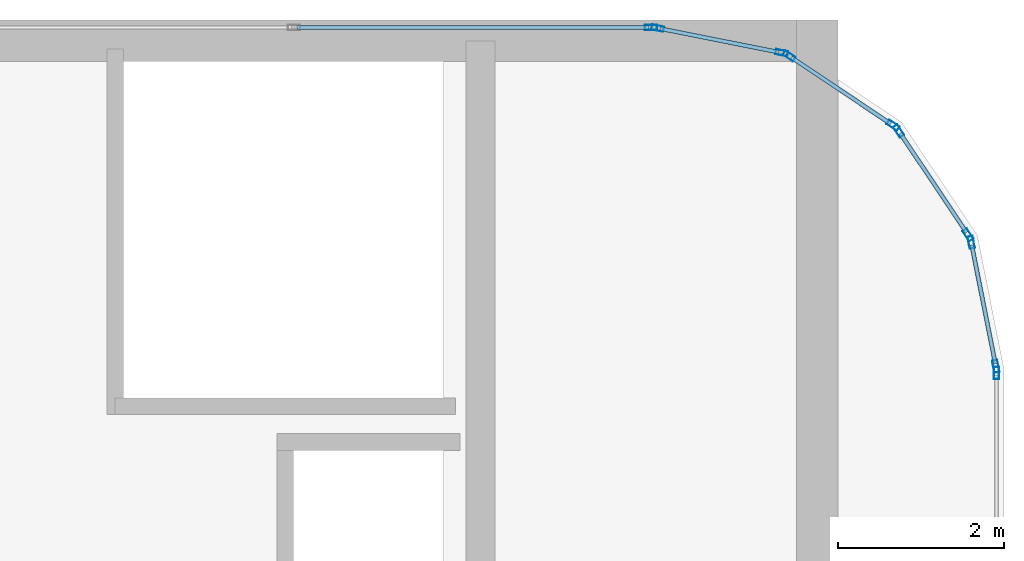
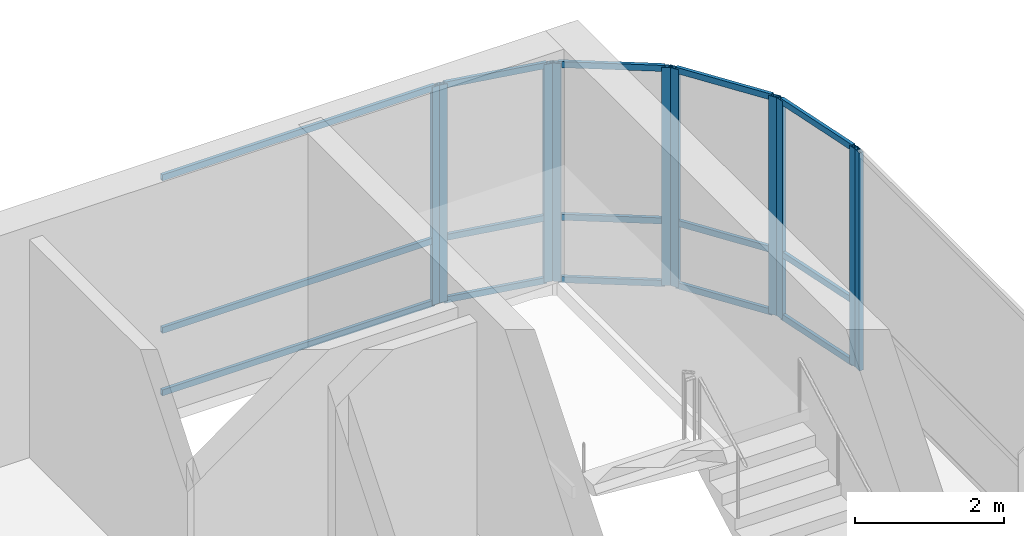
# One storey, part 28 of 36: 25 members, 6 elements without a shape of their own.
"""IFC4 building model written with IfcOpenShell, lengths in metres."""

import ifcopenshell
import ifcopenshell.guid

model = None  # the IFC model being written
_history = None  # IfcOwnerHistory: only IFC2X3 demands one
_inside = {}  # id of a spatial element -> (the spatial element, [elements in it])
_under = {}  # id of a project, library or spatial element -> (it, [spatial elements below it])
_declared = {}  # id of a project -> (the project, [libraries it declares])
_typed = {}  # id of a type object -> (the type object, [elements of that type])
_made_of = {}  # id of a material, layer set ... -> (it, [elements and type objects made of it])


def new_model(schema):
    """Start an empty IFC model of exactly this schema.

    Asked for "IFC4X3", IfcOpenShell would pick the latest addendum, in which some entities
    have other attributes; the version numbers below select the first issue.
    IFC2X3 requires an IfcOwnerHistory on every rooted entity: one is made here for all.
    """
    global model, _history
    if schema == "IFC4X3":
        model = ifcopenshell.file(schema_version=(4, 3, 0, 0))
    else:
        model = ifcopenshell.file(schema=schema)
    _inside.clear()
    _under.clear()
    _declared.clear()
    _typed.clear()
    _made_of.clear()
    _history = None
    if model.schema == "IFC2X3":
        org = make("IfcOrganization", Name="unknown")
        user = make(
            "IfcPersonAndOrganization",
            ThePerson=make("IfcPerson", FamilyName="unknown"),
            TheOrganization=org,
        )
        app = make(
            "IfcApplication",
            ApplicationDeveloper=org,
            Version="unknown",
            ApplicationFullName="unknown",
            ApplicationIdentifier="unknown",
        )
        _history = make(
            "IfcOwnerHistory",
            OwningUser=user,
            OwningApplication=app,
            ChangeAction="ADDED",
            CreationDate=0,
        )
    return model


def make(cls, **values):
    """One entity of the class cls with the attributes given. An attribute that is None is left unset."""
    return model.create_entity(
        cls, **{name: value for name, value in values.items() if value is not None}
    )


def rooted(cls, **values):
    """An entity with a GlobalId (a new one), such as an element, a storey or a relation."""
    return make(cls, GlobalId=ifcopenshell.guid.new(), OwnerHistory=_history, **values)


def si_unit(unit_type, name, prefix=None):
    """IfcSIUnit, for example si_unit("LENGTHUNIT", "METRE", prefix="MILLI")."""
    return make("IfcSIUnit", UnitType=unit_type, Prefix=prefix, Name=name)


def assignment(units):
    """IfcUnitAssignment: the units of a project."""
    return None if units is None else make("IfcUnitAssignment", Units=units)


def point(xyz):
    """IfcCartesianPoint."""
    return None if xyz is None else make("IfcCartesianPoint", Coordinates=xyz)


def direction(xyz):
    """IfcDirection."""
    return None if xyz is None else make("IfcDirection", DirectionRatios=xyz)


def frame(location, z_axis=None, x_axis=None):
    """IfcAxis2Placement3D, a coordinate frame: its origin and axes. An axis left out is left unset."""
    return make(
        "IfcAxis2Placement3D",
        Location=point(location),
        Axis=direction(z_axis),
        RefDirection=direction(x_axis),
    )


def frame_2d(location, x_axis=None):
    """IfcAxis2Placement2D, a coordinate frame in the plane: its origin and x axis."""
    return make(
        "IfcAxis2Placement2D", Location=point(location), RefDirection=direction(x_axis)
    )


def origin():
    """The frame at (0, 0, 0) with its axes left unset."""
    return frame((0.0, 0.0, 0.0))


def origin_2d():
    """The frame at (0, 0) in the plane with its x axis left unset."""
    return frame_2d((0.0, 0.0))


def place(relative_to, where):
    """IfcLocalPlacement: puts the frame where relative to a parent placement (None: the world)."""
    return make(
        "IfcLocalPlacement", PlacementRelTo=relative_to, RelativePlacement=where
    )


def context(
    kind, dimensions, precision=None, world=None, true_north=None, identifier=None
):
    """IfcGeometricRepresentationContext, for example the 3D "Model" context."""
    return make(
        "IfcGeometricRepresentationContext",
        ContextIdentifier=identifier,
        ContextType=kind,
        CoordinateSpaceDimension=dimensions,
        Precision=precision,
        WorldCoordinateSystem=world,
        TrueNorth=true_north,
    )


def subcontext(parent, identifier, kind, view, scale=None):
    """IfcGeometricRepresentationSubContext, for example "Body" below "Model"."""
    return make(
        "IfcGeometricRepresentationSubContext",
        ContextIdentifier=identifier,
        ContextType=kind,
        ParentContext=parent,
        TargetScale=scale,
        TargetView=view,
    )


def project(units=None, contexts=None):
    """IfcProject with its units and contexts."""
    return rooted(
        "IfcProject",
        Name="project",
        RepresentationContexts=contexts,
        UnitsInContext=assignment(units),
    )


def spatial(cls, under=None, at=None, **own):
    """A site, building, storey or space (cls), placed at a placement, below another one or the project."""
    s = rooted(cls, ObjectPlacement=at, **own)
    if under is not None:
        _under.setdefault(under.id(), (under, []))[1].append(s)
    return s


def profile(cls, at=None, kind="AREA", **sizes):
    """A parametric profile (cls). Its sizes go by their IFC names, for example OverallWidth=200.0."""
    return make(cls, ProfileType=kind, Position=at, **sizes)


def hollow_rectangle(**sizes):
    """IfcRectangleHollowProfileDef."""
    return profile("IfcRectangleHollowProfileDef", **sizes)


def extrude(swept, where, along, depth):
    """IfcExtrudedAreaSolid: the profile swept, set in the frame where, extruded along a direction by depth."""
    return make(
        "IfcExtrudedAreaSolid",
        SweptArea=swept,
        Position=where,
        ExtrudedDirection=direction(along),
        Depth=depth,
    )


def shape(context_of_items, identifier, shape_type, items):
    """IfcShapeRepresentation: the items that make up one representation, for example the "Body"."""
    return make(
        "IfcShapeRepresentation",
        ContextOfItems=context_of_items,
        RepresentationIdentifier=identifier,
        RepresentationType=shape_type,
        Items=items,
    )


def source(mapping_origin, context_of_items, identifier, shape_type, items):
    """IfcRepresentationMap: a shape defined once, which mapped items show again and again."""
    return make(
        "IfcRepresentationMap",
        MappingOrigin=mapping_origin,
        MappedRepresentation=shape(context_of_items, identifier, shape_type, items),
    )


def transform(
    local_origin,
    x_axis=None,
    y_axis=None,
    z_axis=None,
    scale=None,
    scale2=None,
    scale3=None,
    uniform=True,
):
    """IfcCartesianTransformationOperator3D, or its non-uniform kind. x_axis, y_axis, z_axis: its Axis1, 2, 3."""
    if uniform:
        return make(
            "IfcCartesianTransformationOperator3D",
            Axis1=direction(x_axis),
            Axis2=direction(y_axis),
            LocalOrigin=point(local_origin),
            Scale=scale,
            Axis3=direction(z_axis),
        )
    return make(
        "IfcCartesianTransformationOperator3DnonUniform",
        Axis1=direction(x_axis),
        Axis2=direction(y_axis),
        LocalOrigin=point(local_origin),
        Scale=scale,
        Axis3=direction(z_axis),
        Scale2=scale2,
        Scale3=scale3,
    )


def mapped(mapping_source, mapping_target):
    """IfcMappedItem: shows the shape of a source again, moved by a transform."""
    return make(
        "IfcMappedItem", MappingSource=mapping_source, MappingTarget=mapping_target
    )


def material(Name=None, Category=None):
    """IfcMaterial."""
    return make("IfcMaterial", Name=Name, Category=Category)


def layer(
    of_material, thickness, ventilated=None, Name=None, Category=None, Priority=None
):
    """IfcMaterialLayer: one layer of a wall or slab, of a material (None: an air gap)."""
    return make(
        "IfcMaterialLayer",
        Material=of_material,
        LayerThickness=thickness,
        IsVentilated=ventilated,
        Name=Name,
        Category=Category,
        Priority=Priority,
    )


def layer_set(layers, Name=None):
    """IfcMaterialLayerSet."""
    return make("IfcMaterialLayerSet", MaterialLayers=layers, LayerSetName=Name)


def material_profile(
    of_material, cross_section, Name=None, Category=None, Priority=None
):
    """IfcMaterialProfile: a cross section and its material."""
    return make(
        "IfcMaterialProfile",
        Name=Name,
        Material=of_material,
        Profile=cross_section,
        Priority=Priority,
        Category=Category,
    )


def profile_set(profiles, Name=None, composite=None):
    """IfcMaterialProfileSet."""
    return make(
        "IfcMaterialProfileSet",
        Name=Name,
        MaterialProfiles=profiles,
        CompositeProfile=composite,
    )


def made_of(thing, what):
    """Note that an element or type object is made of a material, layer set ...; save() writes the relation."""
    if what is not None:
        _made_of.setdefault(what.id(), (what, []))[1].append(thing)
    return thing


def type_object(cls, material=None, **own):
    """A type object (cls), such as IfcWallType, which elements share."""
    return made_of(rooted(cls, **own), material)


def type_shapes(of_type, sources):
    """Give a type object the sources (RepresentationMaps) that its elements show as mapped items."""
    of_type.RepresentationMaps = sources


def element(
    cls,
    number,
    at=None,
    inside=None,
    cuts=None,
    type_object=None,
    material=None,
    context=None,
    identifier="Body",
    shape_type=None,
    held_by="IfcProductDefinitionShape",
    body=None,
    shapes=None,
    **own,
):
    """One element of the class cls, such as IfcWall. Its Tag is "e" and its number.

    at: its placement. inside: the storey or other place that contains it. cuts: it is an
    opening in that element (IfcRelVoidsElement). A single representation is given by context,
    identifier, shape_type and body (its items); several are given by shapes. held_by: the class
    of the entity that holds the representations. save() writes the other relations.
    """
    e = rooted(cls, Tag="e%d" % number, ObjectPlacement=at, **own)
    if body is not None:
        shapes = [shape(context, identifier, shape_type, body)]
    if shapes is not None:
        e.Representation = make(held_by, Representations=shapes)
    if inside is not None:
        _inside.setdefault(inside.id(), (inside, []))[1].append(e)
    if cuts is not None:
        rooted(
            "IfcRelVoidsElement", RelatingBuildingElement=cuts, RelatedOpeningElement=e
        )
    if type_object is not None:
        _typed.setdefault(type_object.id(), (type_object, []))[1].append(e)
    return made_of(e, material)


def aggregate(whole, parts):
    """IfcRelAggregates: a whole, such as a stair, and the parts it consists of."""
    return rooted("IfcRelAggregates", RelatingObject=whole, RelatedObjects=parts)


def save(model, path):
    """Write the relations noted so far, then the file.

    IfcRelAggregates (storeys below a building ...), IfcRelContainedInSpatialStructure (elements
    in a storey), IfcRelDefinesByType, IfcRelAssociatesMaterial and IfcRelDeclares: one each for
    every whole, place, type object, material and project.
    """
    for whole, parts in _under.values():
        aggregate(whole, parts)
    for where, things in _inside.values():
        rooted(
            "IfcRelContainedInSpatialStructure",
            RelatedElements=things,
            RelatingStructure=where,
        )
    for kind, things in _typed.values():
        rooted("IfcRelDefinesByType", RelatedObjects=things, RelatingType=kind)
    for what, things in _made_of.values():
        rooted("IfcRelAssociatesMaterial", RelatedObjects=things, RelatingMaterial=what)
    for by, libraries in _declared.values():
        rooted("IfcRelDeclares", RelatingContext=by, RelatedDefinitions=libraries)
    model.write(path)


model = new_model("IFC4")

# Units and contexts
model_context = context("Model", 3, precision=1e-05, world=origin(), true_north=direction((0.0, 1.0)))
body_context = subcontext(model_context, "Body", "Model", "MODEL_VIEW")
ifc_project = project(units=[si_unit("LENGTHUNIT", "METRE"), si_unit("AREAUNIT", "SQUARE_METRE"), si_unit("VOLUMEUNIT", "CUBIC_METRE"), si_unit("PLANEANGLEUNIT", "RADIAN"), si_unit("MASSUNIT", "GRAM", prefix="KILO")], contexts=[model_context])

# Site, building, storey
site_placement = place(None, origin())
site = spatial("IfcSite", under=ifc_project, at=site_placement, CompositionType="ELEMENT")
building_placement = place(site_placement, origin())
building = spatial("IfcBuilding", under=site, at=building_placement, Name="Tolvann Quenvar Hotel", CompositionType="ELEMENT")
storey_placement = place(building_placement, frame((0.0, 0.0, 298.550048828125)))
storey = spatial("IfcBuildingStorey", under=building, at=storey_placement, Name="L79", CompositionType="ELEMENT", Elevation=298.550048828125)

# Curtain wall, members
ifc_material_1 = material(Name="Thermally broken anodised architectural aluminium 6063-T6 and laminated low-E glass", Category="aluminium")
ifc_layer = layer(ifc_material_1, 0.179931640625)
ifc_layer_set = layer_set([ifc_layer], Name="Thermally broken anodised architectural aluminium 6063-T6 and laminated low-E glass")
curtain_wall_type = type_object("IfcCurtainWallType", Name="CW_SYS_LANT_06", PredefinedType="USERDEFINED", material=ifc_layer_set)
curtain_wall_1_placement = place(storey_placement, origin())
curtain_wall_1 = element("IfcCurtainWall", 1, at=curtain_wall_1_placement, inside=storey, type_object=curtain_wall_type, Name="Curtain Wall CW-LANT-06 (CWR-L79-E11)", ObjectType="UNITISED CURTAIN WALL", PredefinedType="USERDEFINED")
ifc_material_2 = material(Name="Anodised architectural aluminium 6063-T6 framing", Category="aluminium")
ifc_material_profile_1 = material_profile(ifc_material_2, hollow_rectangle(XDim=0.050048828125, YDim=0.10009765625, WallThickness=0.0029296875, at=origin_2d()), Name="100x50x3RHS")
ifc_profile_set_1 = profile_set([ifc_material_profile_1], Name="Anodised architectural aluminium 6063-T6 framing")
member_type_1 = type_object("IfcMemberType", Name="CW_TRAN_100x50", PredefinedType="USERDEFINED", material=ifc_profile_set_1)
shared_shape_1 = source(origin(), body_context, "Body", "SweptSolid", [
    extrude(hollow_rectangle(XDim=0.050048828125, YDim=0.10009765625, WallThickness=0.0029296875, at=origin_2d()), origin(), (0.0, 0.0, 1.0), 1.439208984375),
])
member_1_placement = place(storey_placement, frame((37.550048828125, 41.64013671875, 0.02490234375), z_axis=(-0.555600315839, 0.831449510818, 0.0), x_axis=(-0.831449510818, -0.555600315839, 0.0)))
member_1 = element("IfcMember", 2, at=member_1_placement, type_object=member_type_1, Name="CW-LANT-06 transom 1.1", ObjectType="TRANSOM", PredefinedType="USERDEFINED", context=body_context, shape_type="MappedRepresentation", body=[
    mapped(shared_shape_1, transform((0.0, 0.0, 0.0), x_axis=(1.0, 0.0, 0.0), y_axis=(0.0, 1.0, 0.0), z_axis=(0.0, 0.0, 1.0), scale=1.0)),
])
member_2_placement = place(storey_placement, frame((37.550048828125, 41.64013671875, 1.050048828125), z_axis=(-0.555600315839, 0.831449510818, 0.0), x_axis=(-0.831449510818, -0.555600315839, 0.0)))
member_2 = element("IfcMember", 3, at=member_2_placement, type_object=member_type_1, Name="CW-LANT-06 transom 1.2", ObjectType="TRANSOM", PredefinedType="USERDEFINED", context=body_context, shape_type="MappedRepresentation", body=[
    mapped(shared_shape_1, transform((0.0, 0.0, 0.0), x_axis=(1.0, 0.0, 0.0), y_axis=(0.0, 1.0, 0.0), z_axis=(0.0, 0.0, 1.0), scale=1.0)),
])
member_3_placement = place(storey_placement, frame((37.550048828125, 41.64013671875, 3.554931640625), z_axis=(-0.555600315839, 0.831449510818, 0.0), x_axis=(-0.831449510818, -0.555600315839, 0.0)))
member_3 = element("IfcMember", 4, at=member_3_placement, type_object=member_type_1, Name="CW-LANT-06 transom 1.3", ObjectType="TRANSOM", PredefinedType="USERDEFINED", context=body_context, shape_type="MappedRepresentation", body=[
    mapped(shared_shape_1, transform((0.0, 0.0, 0.0), x_axis=(1.0, 0.0, 0.0), y_axis=(0.0, 1.0, 0.0), z_axis=(0.0, 0.0, 1.0), scale=1.0)),
])

curtain_wall_2_placement = place(storey_placement, origin())
curtain_wall_2 = element("IfcCurtainWall", 5, at=curtain_wall_2_placement, inside=storey, type_object=curtain_wall_type, Name="Curtain Wall CW-LANT-06 (CWR-L79-E12)", ObjectType="UNITISED CURTAIN WALL", PredefinedType="USERDEFINED")
member_4_placement = place(storey_placement, frame((36.63671875, 42.950439453125, 0.02490234375), z_axis=(-0.831449510818, 0.555600315839, 0.0), x_axis=(-0.555600315839, -0.831449510818, 0.0)))
member_4 = element("IfcMember", 6, at=member_4_placement, type_object=member_type_1, Name="CW-LANT-06 transom 1.1", ObjectType="TRANSOM", PredefinedType="USERDEFINED", context=body_context, shape_type="MappedRepresentation", body=[
    mapped(shared_shape_1, transform((0.0, 0.0, 0.0), x_axis=(1.0, 0.0, 0.0), y_axis=(0.0, 1.0, 0.0), z_axis=(0.0, 0.0, 1.0), scale=1.0)),
])
member_5_placement = place(storey_placement, frame((36.63671875, 42.950439453125, 1.050048828125), z_axis=(-0.831449510818, 0.555600315839, 0.0), x_axis=(-0.555600315839, -0.831449510818, 0.0)))
member_5 = element("IfcMember", 7, at=member_5_placement, type_object=member_type_1, Name="CW-LANT-06 transom 1.2", ObjectType="TRANSOM", PredefinedType="USERDEFINED", context=body_context, shape_type="MappedRepresentation", body=[
    mapped(shared_shape_1, transform((0.0, 0.0, 0.0), x_axis=(1.0, 0.0, 0.0), y_axis=(0.0, 1.0, 0.0), z_axis=(0.0, 0.0, 1.0), scale=1.0)),
])
member_6_placement = place(storey_placement, frame((36.63671875, 42.950439453125, 3.554931640625), z_axis=(-0.831449510818, 0.555600315839, 0.0), x_axis=(-0.555600315839, -0.831449510818, 0.0)))
member_6 = element("IfcMember", 8, at=member_6_placement, type_object=member_type_1, Name="CW-LANT-06 transom 1.3", ObjectType="TRANSOM", PredefinedType="USERDEFINED", context=body_context, shape_type="MappedRepresentation", body=[
    mapped(shared_shape_1, transform((0.0, 0.0, 0.0), x_axis=(1.0, 0.0, 0.0), y_axis=(0.0, 1.0, 0.0), z_axis=(0.0, 0.0, 1.0), scale=1.0)),
])

curtain_wall_3_placement = place(storey_placement, origin())
curtain_wall_3 = element("IfcCurtainWall", 9, at=curtain_wall_3_placement, inside=storey, type_object=curtain_wall_type, Name="Curtain Wall CW-LANT-06 (CWR-L79-E10)", ObjectType="UNITISED CURTAIN WALL", PredefinedType="USERDEFINED")
shared_shape_2 = source(origin(), body_context, "Body", "SweptSolid", [
    extrude(hollow_rectangle(XDim=0.050048828125, YDim=0.10009765625, WallThickness=0.0029296875, at=origin_2d()), origin(), (0.0, 0.0, 1.0), 1.456787109375),
])
member_7_placement = place(storey_placement, frame((37.895751953125, 40.063232421875, 0.02490234375), z_axis=(-0.195084651288, 0.980786408364, 0.0), x_axis=(-0.980786408364, -0.195084651288, 0.0)))
member_7 = element("IfcMember", 10, at=member_7_placement, type_object=member_type_1, Name="CW-LANT-06 transom 1.1", ObjectType="TRANSOM", PredefinedType="USERDEFINED", context=body_context, shape_type="MappedRepresentation", body=[
    mapped(shared_shape_2, transform((0.0, 0.0, 0.0), x_axis=(1.0, 0.0, 0.0), y_axis=(0.0, 1.0, 0.0), z_axis=(0.0, 0.0, 1.0), scale=1.0)),
])
member_8_placement = place(storey_placement, frame((37.895751953125, 40.063232421875, 1.050048828125), z_axis=(-0.195084651288, 0.980786408364, 0.0), x_axis=(-0.980786408364, -0.195084651288, 0.0)))
member_8 = element("IfcMember", 11, at=member_8_placement, type_object=member_type_1, Name="CW-LANT-06 transom 1.2", ObjectType="TRANSOM", PredefinedType="USERDEFINED", context=body_context, shape_type="MappedRepresentation", body=[
    mapped(shared_shape_2, transform((0.0, 0.0, 0.0), x_axis=(1.0, 0.0, 0.0), y_axis=(0.0, 1.0, 0.0), z_axis=(0.0, 0.0, 1.0), scale=1.0)),
])
member_9_placement = place(storey_placement, frame((37.895751953125, 40.063232421875, 3.554931640625), z_axis=(-0.195084651288, 0.980786408364, 0.0), x_axis=(-0.980786408364, -0.195084651288, 0.0)))
member_9 = element("IfcMember", 12, at=member_9_placement, type_object=member_type_1, Name="CW-LANT-06 transom 1.3", ObjectType="TRANSOM", PredefinedType="USERDEFINED", context=body_context, shape_type="MappedRepresentation", body=[
    mapped(shared_shape_2, transform((0.0, 0.0, 0.0), x_axis=(1.0, 0.0, 0.0), y_axis=(0.0, 1.0, 0.0), z_axis=(0.0, 0.0, 1.0), scale=1.0)),
])

curtain_wall_4_placement = place(storey_placement, origin())
curtain_wall_4 = element("IfcCurtainWall", 13, at=curtain_wall_4_placement, inside=storey, type_object=curtain_wall_type, Name="Curtain Wall CW-LANT-06 (CWR-L79-E13)", ObjectType="UNITISED CURTAIN WALL", PredefinedType="USERDEFINED")
member_10_placement = place(storey_placement, frame((35.291748046875, 43.8115234375, 0.02490234375), z_axis=(-0.980786408364, 0.195084651288, 0.0), x_axis=(-0.195084651288, -0.980786408364, 0.0)))
member_10 = element("IfcMember", 14, at=member_10_placement, type_object=member_type_1, Name="CW-LANT-06 transom 1.1", ObjectType="TRANSOM", PredefinedType="USERDEFINED", context=body_context, shape_type="MappedRepresentation", body=[
    mapped(shared_shape_2, transform((0.0, 0.0, 0.0), x_axis=(1.0, 0.0, 0.0), y_axis=(0.0, 1.0, 0.0), z_axis=(0.0, 0.0, 1.0), scale=1.0)),
])
member_11_placement = place(storey_placement, frame((35.291748046875, 43.8115234375, 1.050048828125), z_axis=(-0.980786408364, 0.195084651288, 0.0), x_axis=(-0.195084651288, -0.980786408364, 0.0)))
member_11 = element("IfcMember", 15, at=member_11_placement, type_object=member_type_1, Name="CW-LANT-06 transom 1.2", ObjectType="TRANSOM", PredefinedType="USERDEFINED", context=body_context, shape_type="MappedRepresentation", body=[
    mapped(shared_shape_2, transform((0.0, 0.0, 0.0), x_axis=(1.0, 0.0, 0.0), y_axis=(0.0, 1.0, 0.0), z_axis=(0.0, 0.0, 1.0), scale=1.0)),
])
member_12_placement = place(storey_placement, frame((35.291748046875, 43.8115234375, 3.554931640625), z_axis=(-0.980786408364, 0.195084651288, 0.0), x_axis=(-0.195084651288, -0.980786408364, 0.0)))
member_12 = element("IfcMember", 16, at=member_12_placement, type_object=member_type_1, Name="CW-LANT-06 transom 1.3", ObjectType="TRANSOM", PredefinedType="USERDEFINED", context=body_context, shape_type="MappedRepresentation", body=[
    mapped(shared_shape_2, transform((0.0, 0.0, 0.0), x_axis=(1.0, 0.0, 0.0), y_axis=(0.0, 1.0, 0.0), z_axis=(0.0, 0.0, 1.0), scale=1.0)),
])

curtain_wall_5_placement = place(storey_placement, origin())
curtain_wall_5 = element("IfcCurtainWall", 17, at=curtain_wall_5_placement, inside=storey, type_object=curtain_wall_type, Name="Curtain Wall CW-LANT-06 (CWR-L79-E14)", ObjectType="UNITISED CURTAIN WALL", PredefinedType="USERDEFINED")
shared_shape_3 = source(origin(), body_context, "Body", "SweptSolid", [
    extrude(hollow_rectangle(XDim=0.050048828125, YDim=0.10009765625, WallThickness=0.0029296875, at=origin_2d()), origin(), (0.0, 0.0, 1.0), 4.22998046875),
])
type_shapes(member_type_1, [shared_shape_1, shared_shape_2, shared_shape_3])
member_13_placement = place(storey_placement, frame((33.7177734375, 44.110107421875, 0.02490234375), z_axis=(-1.0, 0.0, 0.0), x_axis=(0.0, -1.0, 0.0)))
member_13 = element("IfcMember", 18, at=member_13_placement, type_object=member_type_1, Name="CW-LANT-06 transom 1.1", ObjectType="TRANSOM", PredefinedType="USERDEFINED", context=body_context, shape_type="MappedRepresentation", body=[
    mapped(shared_shape_3, transform((0.0, 0.0, 0.0), x_axis=(1.0, 0.0, 0.0), y_axis=(0.0, 1.0, 0.0), z_axis=(0.0, 0.0, 1.0), scale=1.0)),
])
member_14_placement = place(storey_placement, frame((33.7177734375, 44.110107421875, 1.050048828125), z_axis=(-1.0, 0.0, 0.0), x_axis=(0.0, -1.0, 0.0)))
member_14 = element("IfcMember", 19, at=member_14_placement, type_object=member_type_1, Name="CW-LANT-06 transom 1.2", ObjectType="TRANSOM", PredefinedType="USERDEFINED", context=body_context, shape_type="MappedRepresentation", body=[
    mapped(shared_shape_3, transform((0.0, 0.0, 0.0), x_axis=(1.0, 0.0, 0.0), y_axis=(0.0, 1.0, 0.0), z_axis=(0.0, 0.0, 1.0), scale=1.0)),
])
member_15_placement = place(storey_placement, frame((33.7177734375, 44.110107421875, 3.554931640625), z_axis=(-1.0, 0.0, 0.0), x_axis=(0.0, -1.0, 0.0)))
member_15 = element("IfcMember", 20, at=member_15_placement, type_object=member_type_1, Name="CW-LANT-06 transom 1.3", ObjectType="TRANSOM", PredefinedType="USERDEFINED", context=body_context, shape_type="MappedRepresentation", body=[
    mapped(shared_shape_3, transform((0.0, 0.0, 0.0), x_axis=(1.0, 0.0, 0.0), y_axis=(0.0, 1.0, 0.0), z_axis=(0.0, 0.0, 1.0), scale=1.0)),
])

# Curtain wall, member
curtain_wall_6_placement = place(storey_placement, origin())
curtain_wall_6 = element("IfcCurtainWall", 21, at=curtain_wall_6_placement, inside=storey, type_object=curtain_wall_type, Name="Curtain Wall CW-LANT-06 (CWR-L79-E09)", ObjectType="UNITISED CURTAIN WALL", PredefinedType="USERDEFINED")
ifc_material_profile_2 = material_profile(ifc_material_2, hollow_rectangle(XDim=0.06494140625, YDim=0.14990234375, WallThickness=0.00390625, at=origin_2d()), Name="150x65x4RHS")
ifc_profile_set_2 = profile_set([ifc_material_profile_2], Name="Anodised architectural aluminium 6063-T6 framing")
member_type_2 = type_object("IfcMemberType", Name="CW_MULL_150x65", PredefinedType="MULLION", material=ifc_profile_set_2)
shared_shape_4 = source(origin(), body_context, "Body", "SweptSolid", [
    extrude(hollow_rectangle(XDim=0.06494140625, YDim=0.14990234375, WallThickness=0.00390625, at=origin_2d()), origin(), (0.0, 0.0, 1.0), 3.579833984375),
])
type_shapes(member_type_2, [shared_shape_4])
member_16_placement = place(storey_placement, frame((37.909912109375, 39.9501953125, 0.0), z_axis=(0.0, 0.0, 1.0), x_axis=(-1.0, 0.0, 0.0)))
member_16 = element("IfcMember", 22, at=member_16_placement, type_object=member_type_2, Name="CW-LANT-06 mullion 7", PredefinedType="MULLION", context=body_context, shape_type="MappedRepresentation", body=[
    mapped(shared_shape_4, transform((0.0, 0.0, 0.0), x_axis=(1.0, 0.0, 0.0), y_axis=(0.0, 1.0, 0.0), z_axis=(0.0, 0.0, 1.0), scale=1.0)),
])
aggregate(curtain_wall_6, [member_16])

# Member
member_17_placement = place(storey_placement, frame((37.902099609375, 40.03125, 0.0), z_axis=(0.0, 0.0, 1.0), x_axis=(-0.980790999222, -0.195061569369, 0.0)))
member_17 = element("IfcMember", 23, at=member_17_placement, type_object=member_type_2, Name="CW-LANT-06 mullion 1", PredefinedType="MULLION", context=body_context, shape_type="MappedRepresentation", body=[
    mapped(shared_shape_4, transform((0.0, 0.0, 0.0), x_axis=(1.0, 0.0, 0.0), y_axis=(0.0, 1.0, 0.0), z_axis=(0.0, 0.0, 1.0), scale=1.0)),
])

member_18_placement = place(storey_placement, frame((37.605224609375, 41.523681640625, 0.0), z_axis=(0.0, 0.0, 1.0), x_axis=(-0.980790999222, -0.195061569369, 0.0)))
member_18 = element("IfcMember", 24, at=member_18_placement, type_object=member_type_2, Name="CW-LANT-06 mullion 2", PredefinedType="MULLION", context=body_context, shape_type="MappedRepresentation", body=[
    mapped(shared_shape_4, transform((0.0, 0.0, 0.0), x_axis=(1.0, 0.0, 0.0), y_axis=(0.0, 1.0, 0.0), z_axis=(0.0, 0.0, 1.0), scale=1.0)),
])

aggregate(curtain_wall_3, [member_17, member_18, member_7, member_8, member_9])

member_19_placement = place(storey_placement, frame((37.568115234375, 41.61328125, 0.0), z_axis=(0.0, 0.0, 1.0), x_axis=(-0.831412452193, -0.555655769644, 0.0)))
member_19 = element("IfcMember", 25, at=member_19_placement, type_object=member_type_2, Name="CW-LANT-06 mullion 1", PredefinedType="MULLION", context=body_context, shape_type="MappedRepresentation", body=[
    mapped(shared_shape_4, transform((0.0, 0.0, 0.0), x_axis=(1.0, 0.0, 0.0), y_axis=(0.0, 1.0, 0.0), z_axis=(0.0, 0.0, 1.0), scale=1.0)),
])

member_20_placement = place(storey_placement, frame((36.732421875, 42.86376953125, 0.0), z_axis=(0.0, 0.0, 1.0), x_axis=(-0.831412452193, -0.555655769644, 0.0)))
member_20 = element("IfcMember", 26, at=member_20_placement, type_object=member_type_2, Name="CW-LANT-06 mullion 2", PredefinedType="MULLION", context=body_context, shape_type="MappedRepresentation", body=[
    mapped(shared_shape_4, transform((0.0, 0.0, 0.0), x_axis=(1.0, 0.0, 0.0), y_axis=(0.0, 1.0, 0.0), z_axis=(0.0, 0.0, 1.0), scale=1.0)),
])

aggregate(curtain_wall_1, [member_19, member_20, member_1, member_2, member_3])

member_21_placement = place(storey_placement, frame((36.663818359375, 42.932373046875, 0.0), z_axis=(0.0, 0.0, 1.0), x_axis=(-0.555655769644, -0.831412452193, 0.0)))
member_21 = element("IfcMember", 27, at=member_21_placement, type_object=member_type_2, Name="CW-LANT-06 mullion 1", PredefinedType="MULLION", context=body_context, shape_type="MappedRepresentation", body=[
    mapped(shared_shape_4, transform((0.0, 0.0, 0.0), x_axis=(1.0, 0.0, 0.0), y_axis=(0.0, 1.0, 0.0), z_axis=(0.0, 0.0, 1.0), scale=1.0)),
])

member_22_placement = place(storey_placement, frame((35.413330078125, 43.76806640625, 0.0), z_axis=(0.0, 0.0, 1.0), x_axis=(-0.555655769644, -0.831412452193, 0.0)))
member_22 = element("IfcMember", 28, at=member_22_placement, type_object=member_type_2, Name="CW-LANT-06 mullion 2", PredefinedType="MULLION", context=body_context, shape_type="MappedRepresentation", body=[
    mapped(shared_shape_4, transform((0.0, 0.0, 0.0), x_axis=(1.0, 0.0, 0.0), y_axis=(0.0, 1.0, 0.0), z_axis=(0.0, 0.0, 1.0), scale=1.0)),
])

aggregate(curtain_wall_2, [member_21, member_22, member_4, member_5, member_6])

member_23_placement = place(storey_placement, frame((35.32373046875, 43.80517578125, 0.0), z_axis=(0.0, 0.0, 1.0), x_axis=(-0.195061569369, -0.980790999222, 0.0)))
member_23 = element("IfcMember", 29, at=member_23_placement, type_object=member_type_2, Name="CW-LANT-06 mullion 1", PredefinedType="MULLION", context=body_context, shape_type="MappedRepresentation", body=[
    mapped(shared_shape_4, transform((0.0, 0.0, 0.0), x_axis=(1.0, 0.0, 0.0), y_axis=(0.0, 1.0, 0.0), z_axis=(0.0, 0.0, 1.0), scale=1.0)),
])

member_24_placement = place(storey_placement, frame((33.831298828125, 44.10205078125, 0.0), z_axis=(0.0, 0.0, 1.0), x_axis=(-0.195061569369, -0.980790999222, 0.0)))
member_24 = element("IfcMember", 30, at=member_24_placement, type_object=member_type_2, Name="CW-LANT-06 mullion 2", PredefinedType="MULLION", context=body_context, shape_type="MappedRepresentation", body=[
    mapped(shared_shape_4, transform((0.0, 0.0, 0.0), x_axis=(1.0, 0.0, 0.0), y_axis=(0.0, 1.0, 0.0), z_axis=(0.0, 0.0, 1.0), scale=1.0)),
])

aggregate(curtain_wall_4, [member_23, member_24, member_10, member_11, member_12])

member_25_placement = place(storey_placement, frame((33.750244140625, 44.110107421875, 0.0), z_axis=(0.0, 0.0, 1.0), x_axis=(0.0, -1.0, 0.0)))
member_25 = element("IfcMember", 31, at=member_25_placement, type_object=member_type_2, Name="CW-LANT-06 mullion 1", PredefinedType="MULLION", context=body_context, shape_type="MappedRepresentation", body=[
    mapped(shared_shape_4, transform((0.0, 0.0, 0.0), x_axis=(1.0, 0.0, 0.0), y_axis=(0.0, 1.0, 0.0), z_axis=(0.0, 0.0, 1.0), scale=1.0)),
])

aggregate(curtain_wall_5, [member_25, member_13, member_14, member_15])

save(model, "model.ifc")
